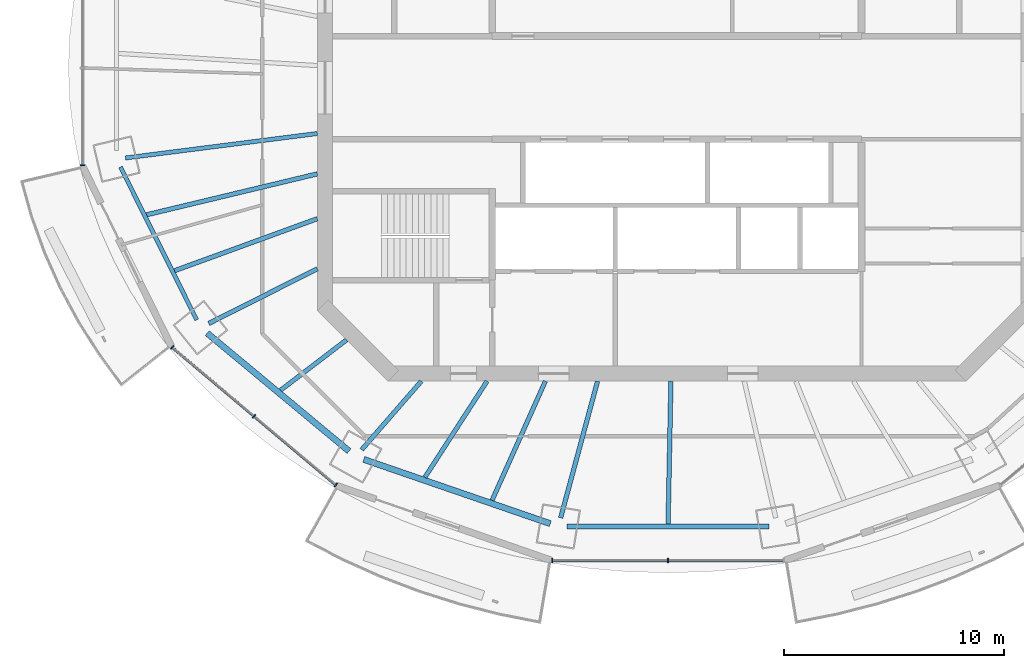
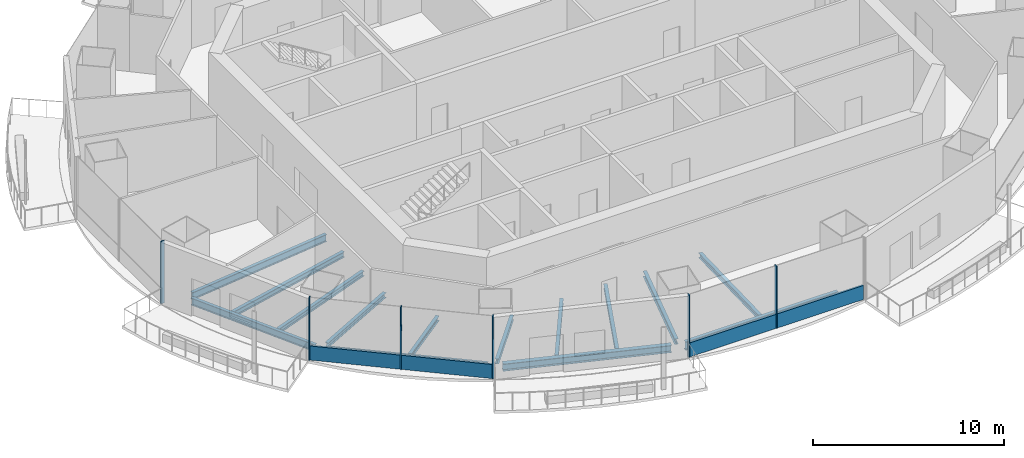
# One storey, part 2 of 16: 14 beams, 8 members, 3 elements without a shape of their own.
"""IFC4 building model written with IfcOpenShell, lengths in metres."""

from ifc_helpers import new_model, si_unit, direction, frame, origin, origin_2d, place, context, subcontext, project, spatial, rectangle, i_section, extrude, material, material_profile, profile_set, type_object, element, aggregate, save


model = new_model("IFC4")

# Units and contexts
model_context = context("Model", 3, precision=1e-05, world=origin(), true_north=direction((0.0, 1.0)))
body_context = subcontext(model_context, "Body", "Model", "MODEL_VIEW")
ifc_project = project(units=[si_unit("LENGTHUNIT", "METRE"), si_unit("AREAUNIT", "SQUARE_METRE"), si_unit("VOLUMEUNIT", "CUBIC_METRE"), si_unit("PLANEANGLEUNIT", "RADIAN"), si_unit("MASSUNIT", "GRAM", prefix="KILO")], contexts=[model_context])

# Site, building, storey
site_placement = place(None, origin())
site = spatial("IfcSite", under=ifc_project, at=site_placement, CompositionType="ELEMENT")
building_placement = place(site_placement, origin())
building = spatial("IfcBuilding", under=site, at=building_placement, Name="Marenthal Gate Tower", CompositionType="ELEMENT")
storey_placement = place(building_placement, frame((0.0, 0.0, 338.449951171875)))
storey = spatial("IfcBuildingStorey", under=building, at=storey_placement, Name="L76", CompositionType="ELEMENT", Elevation=338.449951171875)

# Curtain wall, member
ifc_material_1 = material(Name="Aluminium and glass", Category="aluminium")
curtain_wall_type = type_object("IfcCurtainWallType", Name="Curtain wall typical high", PredefinedType="NOTDEFINED", material=ifc_material_1)
curtain_wall_1_placement = place(storey_placement, origin())
curtain_wall_1 = element("IfcCurtainWall", 1, at=curtain_wall_1_placement, inside=storey, type_object=curtain_wall_type, Name="Curtain wall L76 bay 8", PredefinedType="NOTDEFINED")
ifc_material_2 = material(Name="Aluminium", Category="aluminium")
ifc_material_profile_1 = material_profile(ifc_material_2, rectangle(XDim=0.199951171875, YDim=0.06005859375, at=origin_2d()), Name="60x200 aluminium mullion")
ifc_profile_set_1 = profile_set([ifc_material_profile_1], Name="Aluminium")
member_type_1 = type_object("IfcMemberType", Name="Mullion 60x200 typical high", PredefinedType="MULLION", material=ifc_profile_set_1)
member_1_placement = place(storey_placement, frame((-27.02734375, -3.5263671875, 0.0), z_axis=(0.0, 0.0, 1.0), x_axis=(1.0, 0.0, 0.0)))
member_1 = element("IfcMember", 2, at=member_1_placement, type_object=member_type_1, Name="Mullion L76 bay 8.3", PredefinedType="MULLION", context=body_context, shape_type="SweptSolid", body=[
    extrude(rectangle(XDim=0.199951171875, YDim=0.06005859375, at=origin_2d()), origin(), (0.0, 0.0, 1.0), 3.969970703125),
])
aggregate(curtain_wall_1, [member_1])

# Curtain wall, members
curtain_wall_2_placement = place(storey_placement, origin())
curtain_wall_2 = element("IfcCurtainWall", 3, at=curtain_wall_2_placement, inside=storey, type_object=curtain_wall_type, Name="Curtain wall L76 bay 10", PredefinedType="NOTDEFINED")
member_2_placement = place(storey_placement, frame((-22.95068359375, -11.8095703125, 0.0), z_axis=(0.0, 0.0, 1.0), x_axis=(0.643800653639, 0.765193255572, 0.0)))
member_2 = element("IfcMember", 4, at=member_2_placement, type_object=member_type_1, Name="Mullion L76 bay 10.1", PredefinedType="MULLION", context=body_context, shape_type="SweptSolid", body=[
    extrude(rectangle(XDim=0.199951171875, YDim=0.06005859375, at=origin_2d()), origin(), (0.0, 0.0, 1.0), 3.969970703125),
])
member_3_placement = place(storey_placement, frame((-19.228515625, -14.94140625, 0.0), z_axis=(0.0, 0.0, 1.0), x_axis=(0.643800653639, 0.765193255572, 0.0)))
member_3 = element("IfcMember", 5, at=member_3_placement, type_object=member_type_1, Name="Mullion L76 bay 10.2", PredefinedType="MULLION", context=body_context, shape_type="SweptSolid", body=[
    extrude(rectangle(XDim=0.199951171875, YDim=0.06005859375, at=origin_2d()), origin(), (0.0, 0.0, 1.0), 3.969970703125),
])
member_4_placement = place(storey_placement, frame((-15.506103515625, -18.072998046875, 0.0), z_axis=(0.0, 0.0, 1.0), x_axis=(0.643800653639, 0.765193255572, 0.0)))
member_4 = element("IfcMember", 6, at=member_4_placement, type_object=member_type_1, Name="Mullion L76 bay 10.3", PredefinedType="MULLION", context=body_context, shape_type="SweptSolid", body=[
    extrude(rectangle(XDim=0.199951171875, YDim=0.06005859375, at=origin_2d()), origin(), (0.0, 0.0, 1.0), 3.969970703125),
])

curtain_wall_3_placement = place(storey_placement, origin())
curtain_wall_3 = element("IfcCurtainWall", 7, at=curtain_wall_3_placement, inside=storey, type_object=curtain_wall_type, Name="Curtain wall L76 bay 12", PredefinedType="NOTDEFINED")
member_5_placement = place(storey_placement, frame((-5.66650390625, -21.503173828125, 0.0), z_axis=(0.0, 0.0, 1.0), x_axis=(0.0, 1.0, 0.0)))
member_5 = element("IfcMember", 8, at=member_5_placement, type_object=member_type_1, Name="Mullion L76 bay 12.1", PredefinedType="MULLION", context=body_context, shape_type="SweptSolid", body=[
    extrude(rectangle(XDim=0.199951171875, YDim=0.06005859375, at=origin_2d()), origin(), (0.0, 0.0, 1.0), 3.969970703125),
])
member_6_placement = place(storey_placement, frame((-0.39990234375, -21.503173828125, 0.0), z_axis=(0.0, 0.0, 1.0), x_axis=(0.0, 1.0, 0.0)))
member_6 = element("IfcMember", 9, at=member_6_placement, type_object=member_type_1, Name="Mullion L76 bay 12.2", PredefinedType="MULLION", context=body_context, shape_type="SweptSolid", body=[
    extrude(rectangle(XDim=0.199951171875, YDim=0.06005859375, at=origin_2d()), origin(), (0.0, 0.0, 1.0), 3.969970703125),
])

# Member
ifc_material_3 = material(Name="Aluminium", Category="aluminium")
ifc_material_profile_2 = material_profile(ifc_material_3, rectangle(XDim=0.1201171875, YDim=0.89990234375, at=origin_2d()), Name="120x900 aluminium transom")
ifc_profile_set_2 = profile_set([ifc_material_profile_2], Name="Aluminium")
member_type_2 = type_object("IfcMemberType", Name="Transom 120x900 typical high", PredefinedType="USERDEFINED", material=ifc_profile_set_2)
member_7_placement = place(storey_placement, frame((-22.927734375, -11.828857421875, 0.449951171875), z_axis=(0.765197260539, -0.643795893482, 0.0), x_axis=(0.643795893482, 0.765197260539, 0.0)))
member_7 = element("IfcMember", 10, at=member_7_placement, type_object=member_type_2, Name="Transom L76 bay 10", ObjectType="TRANSOM", PredefinedType="USERDEFINED", context=body_context, shape_type="SweptSolid", body=[
    extrude(rectangle(XDim=0.1201171875, YDim=0.89990234375, at=origin_2d()), origin(), (0.0, 0.0, 1.0), 9.6689453125),
])

aggregate(curtain_wall_2, [member_2, member_3, member_4, member_7])

member_8_placement = place(storey_placement, frame((-5.636474609375, -21.503173828125, 0.449951171875), z_axis=(1.0, 0.0, 0.0), x_axis=(0.0, 1.0, 0.0)))
member_8 = element("IfcMember", 11, at=member_8_placement, type_object=member_type_2, Name="Transom L76 bay 12", ObjectType="TRANSOM", PredefinedType="USERDEFINED", context=body_context, shape_type="SweptSolid", body=[
    extrude(rectangle(XDim=0.1201171875, YDim=0.89990234375, at=origin_2d()), origin(), (0.0, 0.0, 1.0), 10.472900390625),
])

aggregate(curtain_wall_3, [member_5, member_6, member_8])

# Beams
ifc_material_4 = material(Name="Steel S355", Category="steel")
ifc_material_profile_3 = material_profile(ifc_material_4, i_section(OverallWidth=0.202880859375, OverallDepth=0.302001953125, WebThickness=0.007568359375, FlangeThickness=0.01318359375, FilletRadius=0.0126953125, at=origin_2d()), Name="W310X60")
ifc_profile_set_3 = profile_set([ifc_material_profile_3], Name="Steel S355")
beam_type_1 = type_object("IfcBeamType", Name="W310X60 beam", PredefinedType="BEAM", material=ifc_profile_set_3)
beam_1_placement = place(storey_placement, frame((-18.018798828125, -13.7587890625, -0.3310546875), z_axis=(0.79476951827, 0.606911371478, 0.0), x_axis=(-0.606911371478, 0.79476951827, 0.0)))
element("IfcBeam", 12, at=beam_1_placement, inside=storey, type_object=beam_type_1, Name="BM-L76-31", PredefinedType="BEAM", context=body_context, shape_type="SweptSolid", body=[
    extrude(i_section(OverallWidth=0.202880859375, OverallDepth=0.302001953125, WebThickness=0.007568359375, FlangeThickness=0.01318359375, FilletRadius=0.0126953125, at=origin_2d()), origin(), (0.0, 0.0, 1.0), 3.768798828125),
])
beam_2_placement = place(storey_placement, frame((-11.455078125, -17.71630859375, -0.3310546875), z_axis=(0.542986471311, 0.839741443525, 0.0), x_axis=(-0.839741443525, 0.542986471311, 0.0)))
element("IfcBeam", 13, at=beam_2_placement, inside=storey, type_object=beam_type_1, Name="BM-L76-32", PredefinedType="BEAM", context=body_context, shape_type="SweptSolid", body=[
    extrude(i_section(OverallWidth=0.202880859375, OverallDepth=0.302001953125, WebThickness=0.007568359375, FlangeThickness=0.01318359375, FilletRadius=0.0126953125, at=origin_2d()), origin(), (0.0, 0.0, 1.0), 5.199462890625),
])
beam_3_placement = place(storey_placement, frame((-8.4033203125, -18.767333984375, -0.3310546875), z_axis=(0.408651950458, 0.912690299821, 0.0), x_axis=(-0.912690299821, 0.408651950458, 0.0)))
element("IfcBeam", 14, at=beam_3_placement, inside=storey, type_object=beam_type_1, Name="BM-L76-33", PredefinedType="BEAM", context=body_context, shape_type="SweptSolid", body=[
    extrude(i_section(OverallWidth=0.202880859375, OverallDepth=0.302001953125, WebThickness=0.007568359375, FlangeThickness=0.01318359375, FilletRadius=0.0126953125, at=origin_2d()), origin(), (0.0, 0.0, 1.0), 5.935546875),
])
ifc_material_5 = material(Name="Steel S355", Category="steel")
ifc_material_profile_4 = material_profile(ifc_material_5, i_section(OverallWidth=0.205078125, OverallDepth=0.31005859375, WebThickness=0.009521484375, FlangeThickness=0.016357421875, FilletRadius=0.0126953125, at=origin_2d()), Name="W310X74")
ifc_profile_set_4 = profile_set([ifc_material_profile_4], Name="Steel S355")
beam_type_2 = type_object("IfcBeamType", Name="W310X74 beam", PredefinedType="BEAM", material=ifc_profile_set_4)
beam_4_placement = place(storey_placement, frame((-21.284423828125, -10.723388671875, -0.3349609375), z_axis=(0.893053214165, 0.449951060306, 0.0), x_axis=(-0.449951060306, 0.893053214165, 0.0)))
element("IfcBeam", 15, at=beam_4_placement, inside=storey, type_object=beam_type_2, Name="BM-L76-10", PredefinedType="BEAM", context=body_context, shape_type="SweptSolid", body=[
    extrude(i_section(OverallWidth=0.205078125, OverallDepth=0.31005859375, WebThickness=0.009521484375, FlangeThickness=0.016357421875, FilletRadius=0.0126953125, at=origin_2d()), origin(), (0.0, 0.0, 1.0), 5.525146484375),
])
beam_5_placement = place(storey_placement, frame((-14.32958984375, -16.4619140625, -0.3349609375), z_axis=(0.65656687646, 0.754267814994, 0.0), x_axis=(-0.754267814994, 0.65656687646, 0.0)))
element("IfcBeam", 16, at=beam_5_placement, inside=storey, type_object=beam_type_2, Name="BM-L76-11", PredefinedType="BEAM", context=body_context, shape_type="SweptSolid", body=[
    extrude(i_section(OverallWidth=0.205078125, OverallDepth=0.31005859375, WebThickness=0.009521484375, FlangeThickness=0.016357421875, FilletRadius=0.0126953125, at=origin_2d()), origin(), (0.0, 0.0, 1.0), 4.125732421875),
])
beam_6_placement = place(storey_placement, frame((-22.842041015625, -8.32470703125, -0.3349609375), z_axis=(0.939548686615, 0.342415340603, 0.0), x_axis=(-0.342415340603, 0.939548686615, 0.0)))
element("IfcBeam", 17, at=beam_6_placement, inside=storey, type_object=beam_type_2, Name="BM-L76-30", PredefinedType="BEAM", context=body_context, shape_type="SweptSolid", body=[
    extrude(i_section(OverallWidth=0.205078125, OverallDepth=0.31005859375, WebThickness=0.009521484375, FlangeThickness=0.016357421875, FilletRadius=0.0126953125, at=origin_2d()), origin(), (0.0, 0.0, 1.0), 6.90966796875),
])
beam_7_placement = place(storey_placement, frame((-0.39794921875, -19.847412109375, -0.3349609375), z_axis=(0.020061343442, 0.999798750999, 0.0), x_axis=(-0.999798750999, 0.020061343442, 0.0)))
element("IfcBeam", 18, at=beam_7_placement, inside=storey, type_object=beam_type_2, Name="BM-L76-34", PredefinedType="BEAM", context=body_context, shape_type="SweptSolid", body=[
    extrude(i_section(OverallWidth=0.205078125, OverallDepth=0.31005859375, WebThickness=0.009521484375, FlangeThickness=0.016357421875, FilletRadius=0.0126953125, at=origin_2d()), origin(), (0.0, 0.0, 1.0), 6.49853515625),
])
ifc_material_6 = material(Name="Steel S355", Category="steel")
ifc_material_profile_5 = material_profile(ifc_material_6, i_section(OverallWidth=0.205078125, OverallDepth=0.35302734375, WebThickness=0.009521484375, FlangeThickness=0.016845703125, FilletRadius=0.014892578125, at=origin_2d()), Name="W360X79")
ifc_profile_set_5 = profile_set([ifc_material_profile_5], Name="Steel S355")
beam_type_3 = type_object("IfcBeamType", Name="W360X79 beam", PredefinedType="BEAM", material=ifc_profile_set_5)
beam_8_placement = place(storey_placement, frame((-5.282958984375, -19.56298828125, -0.3564453125), z_axis=(0.260737983714, 0.965409604183, 0.0), x_axis=(-0.965409604183, 0.260737983714, 0.0)))
element("IfcBeam", 19, at=beam_8_placement, inside=storey, type_object=beam_type_3, Name="BM-L76-12", PredefinedType="BEAM", context=body_context, shape_type="SweptSolid", body=[
    extrude(i_section(OverallWidth=0.205078125, OverallDepth=0.35302734375, WebThickness=0.009521484375, FlangeThickness=0.016845703125, FilletRadius=0.014892578125, at=origin_2d()), origin(), (0.0, 0.0, 1.0), 6.435546875),
])
beam_9_placement = place(storey_placement, frame((-24.109619140625, -5.780029296875, -0.3564453125), z_axis=(0.972442265011, 0.233143820891, 0.0), x_axis=(-0.233143820891, 0.972442265011, 0.0)))
element("IfcBeam", 20, at=beam_9_placement, inside=storey, type_object=beam_type_3, Name="BM-L76-29", PredefinedType="BEAM", context=body_context, shape_type="SweptSolid", body=[
    extrude(i_section(OverallWidth=0.205078125, OverallDepth=0.35302734375, WebThickness=0.009521484375, FlangeThickness=0.016845703125, FilletRadius=0.014892578125, at=origin_2d()), origin(), (0.0, 0.0, 1.0), 7.9794921875),
])
ifc_material_7 = material(Name="Steel S355", Category="steel")
ifc_material_profile_6 = material_profile(ifc_material_7, i_section(OverallWidth=0.279052734375, OverallDepth=0.4619140625, WebThickness=0.0107421875, FlangeThickness=0.017333984375, FilletRadius=0.010009765625, at=origin_2d()), Name="W460X113")
ifc_profile_set_6 = profile_set([ifc_material_profile_6], Name="Steel S355")
beam_type_4 = type_object("IfcBeamType", Name="W460X113 beam", PredefinedType="BEAM", material=ifc_profile_set_6)
beam_10_placement = place(storey_placement, frame((-21.357666015625, -11.163818359375, -0.410888671875), z_axis=(0.768898121521, -0.639371315217, 0.0), x_axis=(0.639371315217, 0.768898121521, 0.0)))
element("IfcBeam", 21, at=beam_10_placement, inside=storey, type_object=beam_type_4, Name="BM-L76-50", PredefinedType="BEAM", context=body_context, shape_type="SweptSolid", body=[
    extrude(i_section(OverallWidth=0.279052734375, OverallDepth=0.4619140625, WebThickness=0.0107421875, FlangeThickness=0.017333984375, FilletRadius=0.010009765625, at=origin_2d()), origin(), (0.0, 0.0, 1.0), 8.391357421875),
])
beam_11_placement = place(storey_placement, frame((-14.23779296875, -16.9052734375, -0.410888671875), z_axis=(0.945479632751, -0.325681230736, 0.0), x_axis=(0.325681230736, 0.945479632751, 0.0)))
element("IfcBeam", 22, at=beam_11_placement, inside=storey, type_object=beam_type_4, Name="BM-L76-51", PredefinedType="BEAM", context=body_context, shape_type="SweptSolid", body=[
    extrude(i_section(OverallWidth=0.279052734375, OverallDepth=0.4619140625, WebThickness=0.0107421875, FlangeThickness=0.017333984375, FilletRadius=0.010009765625, at=origin_2d()), origin(), (0.0, 0.0, 1.0), 8.972412109375),
])
ifc_material_8 = material(Name="Steel S355", Category="steel")
ifc_material_profile_7 = material_profile(ifc_material_8, i_section(OverallWidth=0.19091796875, OverallDepth=0.45703125, WebThickness=0.009033203125, FlangeThickness=0.014404296875, FilletRadius=0.01025390625, at=origin_2d()), Name="W460X74")
ifc_profile_set_7 = profile_set([ifc_material_profile_7], Name="Steel S355")
beam_type_5 = type_object("IfcBeamType", Name="W460X74 beam", PredefinedType="BEAM", material=ifc_profile_set_7)
beam_12_placement = place(storey_placement, frame((-25.30029296875, -3.604248046875, -0.408447265625), z_axis=(0.445880705054, -0.895092395712, 0.0), x_axis=(0.895092395712, 0.445880705054, 0.0)))
element("IfcBeam", 23, at=beam_12_placement, inside=storey, type_object=beam_type_5, Name="BM-L76-49", PredefinedType="BEAM", context=body_context, shape_type="SweptSolid", body=[
    extrude(i_section(OverallWidth=0.19091796875, OverallDepth=0.45703125, WebThickness=0.009033203125, FlangeThickness=0.014404296875, FilletRadius=0.01025390625, at=origin_2d()), origin(), (0.0, 0.0, 1.0), 7.76904296875),
])
ifc_material_9 = material(Name="Steel S355", Category="steel")
ifc_material_profile_8 = material_profile(ifc_material_9, i_section(OverallWidth=0.193115234375, OverallDepth=0.467041015625, WebThickness=0.011474609375, FlangeThickness=0.01904296875, FilletRadius=0.010009765625, at=origin_2d()), Name="W460X97")
ifc_profile_set_8 = profile_set([ifc_material_profile_8], Name="Steel S355")
beam_type_6 = type_object("IfcBeamType", Name="W460X97 beam", PredefinedType="BEAM", material=ifc_profile_set_8)
beam_13_placement = place(storey_placement, frame((-25.07568359375, -3.19677734375, -0.413330078125), z_axis=(0.991972610542, 0.126452915882, 0.0), x_axis=(-0.126452915882, 0.991972610542, 0.0)))
element("IfcBeam", 24, at=beam_13_placement, inside=storey, type_object=beam_type_6, Name="BM-L76-09", PredefinedType="BEAM", context=body_context, shape_type="SweptSolid", body=[
    extrude(i_section(OverallWidth=0.193115234375, OverallDepth=0.467041015625, WebThickness=0.011474609375, FlangeThickness=0.01904296875, FilletRadius=0.010009765625, at=origin_2d()), origin(), (0.0, 0.0, 1.0), 8.796142578125),
])
ifc_material_10 = material(Name="Steel S355", Category="steel")
ifc_material_profile_9 = material_profile(ifc_material_10, i_section(OverallWidth=0.2119140625, OverallDepth=0.5439453125, WebThickness=0.01318359375, FlangeThickness=0.021240234375, FilletRadius=0.0126953125, at=origin_2d()), Name="W530X123")
ifc_profile_set_9 = profile_set([ifc_material_profile_9], Name="Steel S355")
beam_type_7 = type_object("IfcBeamType", Name="W530X123 beam", PredefinedType="BEAM", material=ifc_profile_set_9)
beam_14_placement = place(storey_placement, frame((-5.00146484375, -19.95361328125, -0.451904296875), z_axis=(1.0, 0.0, 0.0), x_axis=(0.0, 1.0, 0.0)))
element("IfcBeam", 25, at=beam_14_placement, inside=storey, type_object=beam_type_7, Name="BM-L76-52", PredefinedType="BEAM", context=body_context, shape_type="SweptSolid", body=[
    extrude(i_section(OverallWidth=0.2119140625, OverallDepth=0.5439453125, WebThickness=0.01318359375, FlangeThickness=0.021240234375, FilletRadius=0.0126953125, at=origin_2d()), origin(), (0.0, 0.0, 1.0), 9.202880859375),
])

save(model, "model.ifc")
